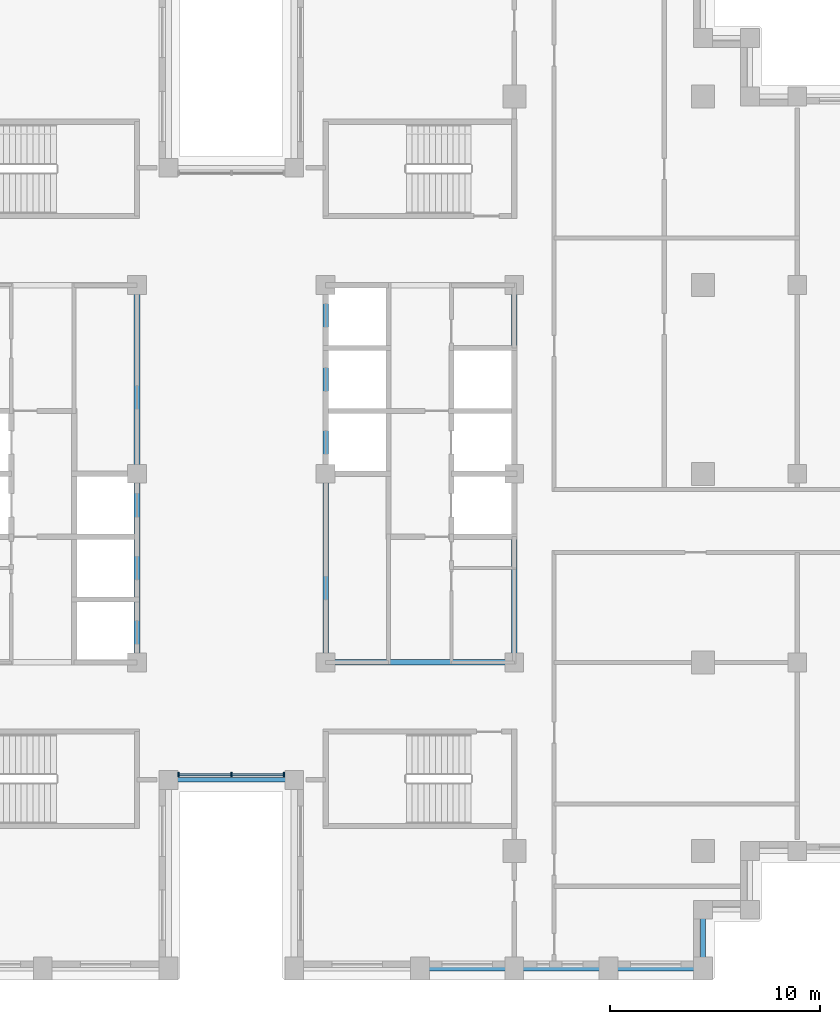
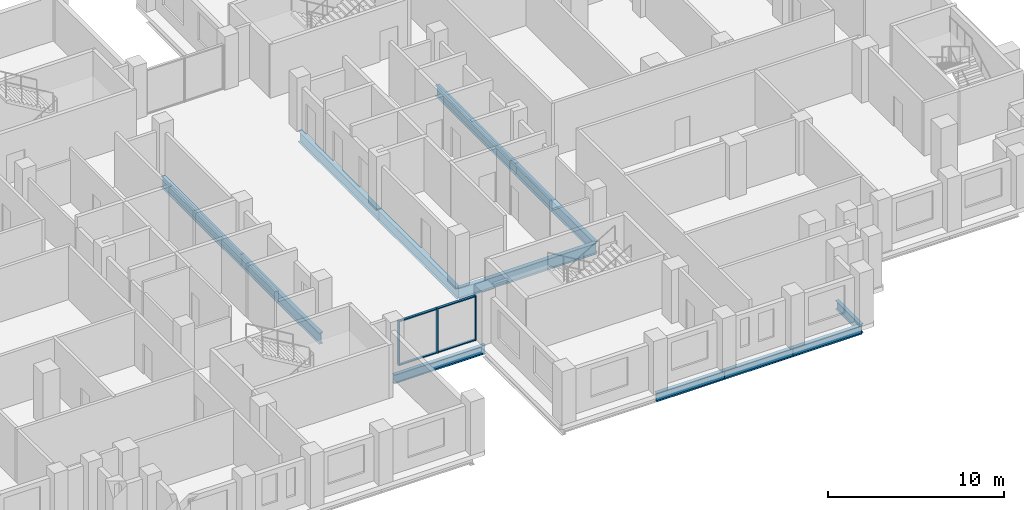
# One storey, part 2 of 15: 12 beams, 7 members, 1 element without a shape of its own.
"""IFC4 building model written with IfcOpenShell, lengths in metres."""

from ifc_helpers import new_model, si_unit, direction, frame, origin, origin_2d, place, context, subcontext, project, spatial, rectangle, i_section, extrude, material, layer, layer_set, material_profile, profile_set, type_object, element, aggregate, save


model = new_model("IFC4")

# Units and contexts
model_context = context("Model", 3, precision=1e-05, world=origin(), true_north=direction((0.0, 1.0)))
body_context = subcontext(model_context, "Body", "Model", "MODEL_VIEW")
ifc_project = project(units=[si_unit("LENGTHUNIT", "METRE"), si_unit("AREAUNIT", "SQUARE_METRE"), si_unit("VOLUMEUNIT", "CUBIC_METRE"), si_unit("PLANEANGLEUNIT", "RADIAN"), si_unit("MASSUNIT", "GRAM", prefix="KILO")], contexts=[model_context])

# Site, building, storey
site_placement = place(None, origin())
site = spatial("IfcSite", under=ifc_project, at=site_placement, CompositionType="ELEMENT")
building_placement = place(site_placement, origin())
building = spatial("IfcBuilding", under=site, at=building_placement, Name="Corbelhall Arena Tower", CompositionType="ELEMENT")
storey_placement = place(building_placement, frame((0.0, 0.0, 166.0)))
storey = spatial("IfcBuildingStorey", under=building, at=storey_placement, Name="L33", CompositionType="ELEMENT", Elevation=166.0)

# Curtain wall, members
ifc_material_1 = material(Name="Aluminium black anodised", Category="aluminium")
ifc_layer = layer(ifc_material_1, 0.199951171875)
ifc_layer_set = layer_set([ifc_layer], Name="EV-CW1 Slot back wall")
curtain_wall_type = type_object("IfcCurtainWallType", Name="EV-CW1 Slot back wall", PredefinedType="NOTDEFINED", material=ifc_layer_set)
curtain_wall_placement = place(storey_placement, origin())
curtain_wall = element("IfcCurtainWall", 1, at=curtain_wall_placement, inside=storey, type_object=curtain_wall_type, Name="Curtain wall CW1", PredefinedType="NOTDEFINED")
ifc_material_profile_1 = material_profile(ifc_material_1, rectangle(XDim=0.199951171875, YDim=0.074951171875, at=origin_2d()))
ifc_profile_set_1 = profile_set([ifc_material_profile_1], Name="Aluminium black anodised")
member_type_1 = type_object("IfcMemberType", Name="EV-CW1-MULLION", PredefinedType="MULLION", material=ifc_profile_set_1)
member_1_placement = place(storey_placement, frame((-2.512451171875, -14.35009765625, 0.0), z_axis=(0.0, 0.0, 1.0), x_axis=(0.0, 1.0, 0.0)))
member_1 = element("IfcMember", 2, at=member_1_placement, type_object=member_type_1, Name="CW1 mullion 1", PredefinedType="MULLION", context=body_context, shape_type="SweptSolid", body=[
    extrude(rectangle(XDim=0.199951171875, YDim=0.074951171875, at=origin_2d()), origin(), (0.0, 0.0, 1.0), 3.10009765625),
])
member_2_placement = place(storey_placement, frame((0.0, -14.35009765625, 0.0), z_axis=(0.0, 0.0, 1.0), x_axis=(0.0, 1.0, 0.0)))
member_2 = element("IfcMember", 3, at=member_2_placement, type_object=member_type_1, Name="CW1 mullion 2", PredefinedType="MULLION", context=body_context, shape_type="SweptSolid", body=[
    extrude(rectangle(XDim=0.199951171875, YDim=0.074951171875, at=origin_2d()), origin(), (0.0, 0.0, 1.0), 3.10009765625),
])
member_3_placement = place(storey_placement, frame((2.512451171875, -14.35009765625, 0.0), z_axis=(0.0, 0.0, 1.0), x_axis=(0.0, 1.0, 0.0)))
member_3 = element("IfcMember", 4, at=member_3_placement, type_object=member_type_1, Name="CW1 mullion 3", PredefinedType="MULLION", context=body_context, shape_type="SweptSolid", body=[
    extrude(rectangle(XDim=0.199951171875, YDim=0.074951171875, at=origin_2d()), origin(), (0.0, 0.0, 1.0), 3.10009765625),
])
ifc_material_profile_2 = material_profile(ifc_material_1, rectangle(XDim=0.14990234375, YDim=0.074951171875, at=origin_2d()))
ifc_profile_set_2 = profile_set([ifc_material_profile_2], Name="Aluminium black anodised")
member_type_2 = type_object("IfcMemberType", Name="EV-CW1-TRANSOM", PredefinedType="USERDEFINED", material=ifc_profile_set_2)
member_4_placement = place(storey_placement, frame((-2.47509765625, -14.35009765625, 0.03759765625), z_axis=(1.0, 0.0, 0.0), x_axis=(0.0, 1.0, 0.0)))
member_4 = element("IfcMember", 5, at=member_4_placement, type_object=member_type_2, Name="CW1 transom 1.1", ObjectType="transom", PredefinedType="USERDEFINED", context=body_context, shape_type="SweptSolid", body=[
    extrude(rectangle(XDim=0.14990234375, YDim=0.074951171875, at=origin_2d()), origin(), (0.0, 0.0, 1.0), 2.4375),
])
member_5_placement = place(storey_placement, frame((-2.47509765625, -14.35009765625, 3.0625), z_axis=(1.0, 0.0, 0.0), x_axis=(0.0, 1.0, 0.0)))
member_5 = element("IfcMember", 6, at=member_5_placement, type_object=member_type_2, Name="CW1 transom 1.2", ObjectType="transom", PredefinedType="USERDEFINED", context=body_context, shape_type="SweptSolid", body=[
    extrude(rectangle(XDim=0.14990234375, YDim=0.074951171875, at=origin_2d()), origin(), (0.0, 0.0, 1.0), 2.4375),
])
member_6_placement = place(storey_placement, frame((0.03759765625, -14.35009765625, 0.03759765625), z_axis=(1.0, 0.0, 0.0), x_axis=(0.0, 1.0, 0.0)))
member_6 = element("IfcMember", 7, at=member_6_placement, type_object=member_type_2, Name="CW1 transom 2.1", ObjectType="transom", PredefinedType="USERDEFINED", context=body_context, shape_type="SweptSolid", body=[
    extrude(rectangle(XDim=0.14990234375, YDim=0.074951171875, at=origin_2d()), origin(), (0.0, 0.0, 1.0), 2.4375),
])
member_7_placement = place(storey_placement, frame((0.03759765625, -14.35009765625, 3.0625), z_axis=(1.0, 0.0, 0.0), x_axis=(0.0, 1.0, 0.0)))
member_7 = element("IfcMember", 8, at=member_7_placement, type_object=member_type_2, Name="CW1 transom 2.2", ObjectType="transom", PredefinedType="USERDEFINED", context=body_context, shape_type="SweptSolid", body=[
    extrude(rectangle(XDim=0.14990234375, YDim=0.074951171875, at=origin_2d()), origin(), (0.0, 0.0, 1.0), 2.4375),
])
aggregate(curtain_wall, [member_1, member_2, member_3, member_4, member_5, member_6, member_7])

# Beams
ifc_material_2 = material(Name="Steel ASTM A992 Gr50", Category="steel")
ifc_material_profile_3 = material_profile(ifc_material_2, i_section(OverallWidth=0.2666015625, OverallDepth=0.761962890625, WebThickness=0.014404296875, FlangeThickness=0.021484375, at=origin_2d()))
ifc_profile_set_3 = profile_set([ifc_material_profile_3], Name="Steel ASTM A992 Gr50")
beam_type_1 = type_object("IfcBeamType", Name="ST-BEAM-W30x116", PredefinedType="BEAM", material=ifc_profile_set_3)
for number, where, z_axis, x_axis, name in (
    (9, (-4.5, -9.0, -0.680908203125), (0.0, 1.0, 0.0), (-1.0, 0.0, 0.0), "Beam CEW 3"),
    (10, (-4.5, 0.0, -0.680908203125), (0.0, 1.0, 0.0), (-1.0, 0.0, 0.0), "Beam CEW 4"),
    (11, (4.5, -9.0, -0.680908203125), (0.0, 1.0, 0.0), (-1.0, 0.0, 0.0), "Beam CEE 7"),
    (12, (4.5, 0.0, -0.680908203125), (0.0, 1.0, 0.0), (-1.0, 0.0, 0.0), "Beam CEE 8"),
    (13, (13.5, -9.0, -0.680908203125), (0.0, 1.0, 0.0), (-1.0, 0.0, 0.0), "Beam CEE 9"),
    (14, (13.5, 0.0, -0.680908203125), (0.0, 1.0, 0.0), (-1.0, 0.0, 0.0), "Beam CEE 10"),
    (15, (4.5, -9.0, -0.680908203125), (1.0, 0.0, 0.0), (0.0, 1.0, 0.0), "Beam CEE 11"),
):
    element("IfcBeam", number, at=place(storey_placement, frame(where, z_axis=z_axis, x_axis=x_axis)), inside=storey, type_object=beam_type_1, Name=name, PredefinedType="BEAM", context=body_context, shape_type="SweptSolid", body=[
        extrude(i_section(OverallWidth=0.2666015625, OverallDepth=0.761962890625, WebThickness=0.014404296875, FlangeThickness=0.021484375, at=origin_2d()), origin(), (0.0, 0.0, 1.0), 9.0),
    ])
ifc_material_profile_4 = material_profile(ifc_material_2, i_section(OverallWidth=0.22900390625, OverallDepth=0.612060546875, WebThickness=0.011962890625, FlangeThickness=0.01953125, at=origin_2d()))
ifc_profile_set_4 = profile_set([ifc_material_profile_4], Name="Steel ASTM A992 Gr50")
beam_type_2 = type_object("IfcBeamType", Name="ST-SPANDREL-W24x84", PredefinedType="SPANDREL", material=ifc_profile_set_4)
for number, where, z_axis, x_axis, name in (
    (16, (13.5, -23.60009765625, -0.60595703125), (-1.0, 0.0, 0.0), (0.0, -1.0, 0.0), "Beam SP 29"),
    (17, (18.0, -23.60009765625, -0.60595703125), (-1.0, 0.0, 0.0), (0.0, -1.0, 0.0), "Beam SP 30"),
    (18, (22.5, -23.60009765625, -0.60595703125), (-1.0, 0.0, 0.0), (0.0, -1.0, 0.0), "Beam SP 31"),
):
    element("IfcBeam", number, at=place(storey_placement, frame(where, z_axis=z_axis, x_axis=x_axis)), inside=storey, type_object=beam_type_2, Name=name, PredefinedType="SPANDREL", context=body_context, shape_type="SweptSolid", body=[
        extrude(i_section(OverallWidth=0.22900390625, OverallDepth=0.612060546875, WebThickness=0.011962890625, FlangeThickness=0.01953125, at=origin_2d()), origin(), (0.0, 0.0, 1.0), 4.5),
    ])
beam_1_placement = place(storey_placement, frame((3.0, -14.60009765625, -0.60595703125), z_axis=(-1.0, 0.0, 0.0), x_axis=(0.0, -1.0, 0.0)))
element("IfcBeam", 19, at=beam_1_placement, inside=storey, type_object=beam_type_2, Name="Beam SP 41", PredefinedType="SPANDREL", context=body_context, shape_type="SweptSolid", body=[
    extrude(i_section(OverallWidth=0.22900390625, OverallDepth=0.612060546875, WebThickness=0.011962890625, FlangeThickness=0.01953125, at=origin_2d()), origin(), (0.0, 0.0, 1.0), 6.0),
])
beam_2_placement = place(storey_placement, frame((22.5, -20.800048828125, -0.60595703125), z_axis=(0.0, -1.0, 0.0), x_axis=(1.0, 0.0, 0.0)))
element("IfcBeam", 20, at=beam_2_placement, inside=storey, type_object=beam_type_2, Name="Beam SP 49", PredefinedType="SPANDREL", context=body_context, shape_type="SweptSolid", body=[
    extrude(i_section(OverallWidth=0.22900390625, OverallDepth=0.612060546875, WebThickness=0.011962890625, FlangeThickness=0.01953125, at=origin_2d()), origin(), (0.0, 0.0, 1.0), 2.800048828125),
])

save(model, "model.ifc")
